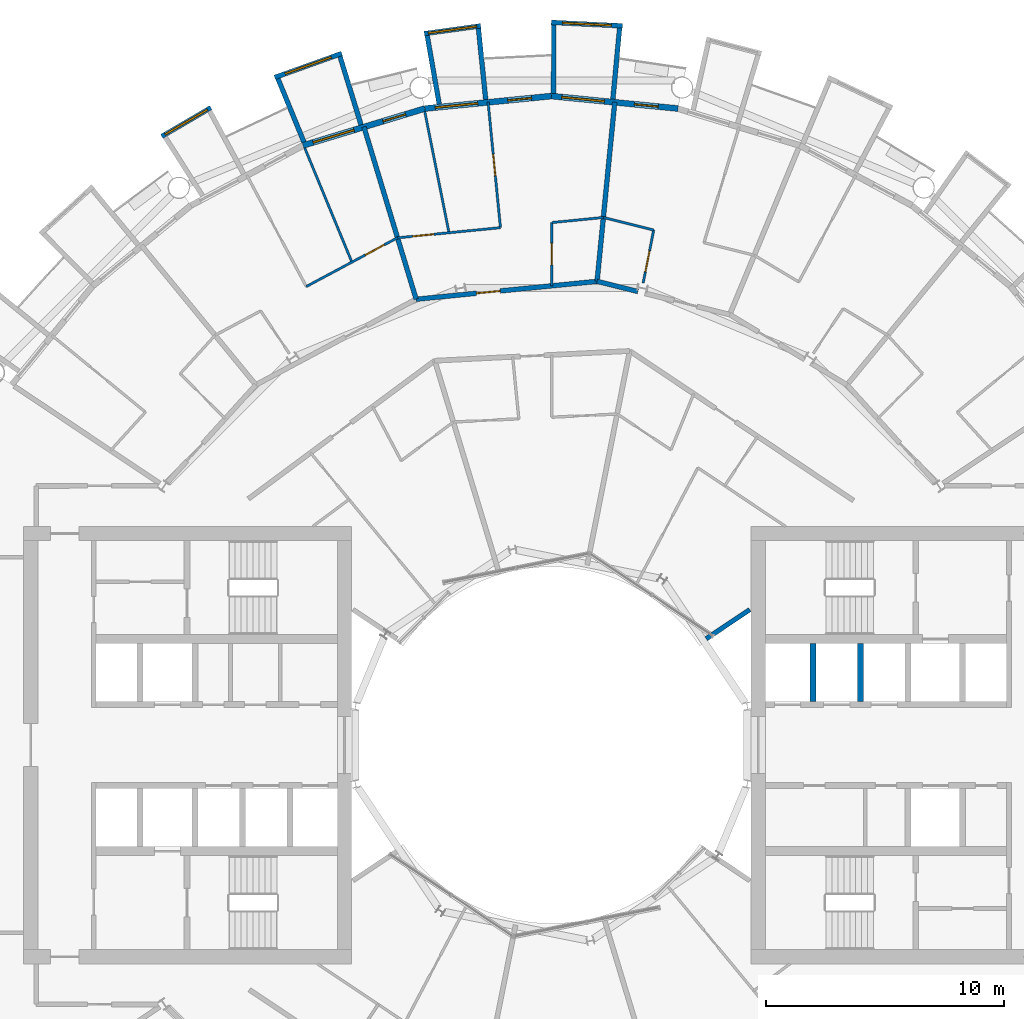
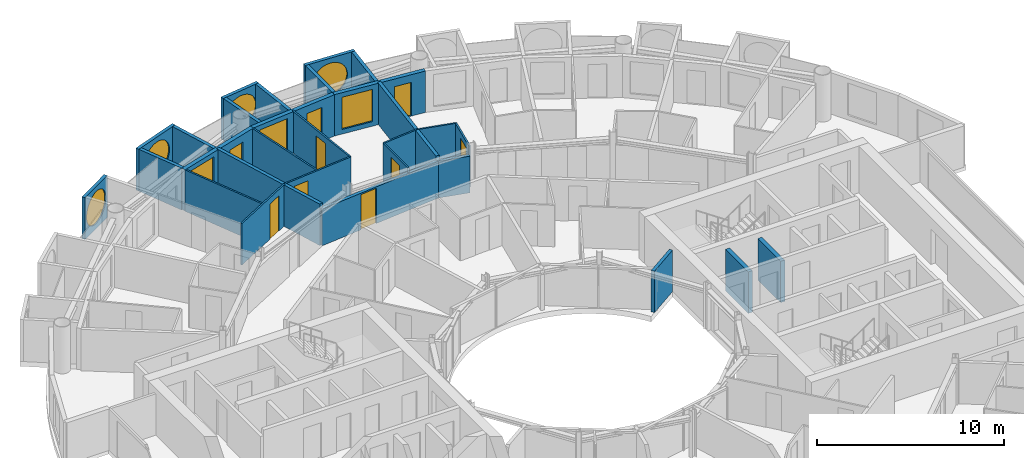
# One storey, part 21 of 27: 29 walls, 9 doors, 7 windows, 16 openings.
"""IFC4 building model written with IfcOpenShell, lengths in metres."""

import ifcopenshell
import ifcopenshell.guid

model = None  # the IFC model being written
_history = None  # IfcOwnerHistory: only IFC2X3 demands one
_inside = {}  # id of a spatial element -> (the spatial element, [elements in it])
_under = {}  # id of a project, library or spatial element -> (it, [spatial elements below it])
_declared = {}  # id of a project -> (the project, [libraries it declares])
_typed = {}  # id of a type object -> (the type object, [elements of that type])
_made_of = {}  # id of a material, layer set ... -> (it, [elements and type objects made of it])


def new_model(schema):
    """Start an empty IFC model of exactly this schema.

    Asked for "IFC4X3", IfcOpenShell would pick the latest addendum, in which some entities
    have other attributes; the version numbers below select the first issue.
    IFC2X3 requires an IfcOwnerHistory on every rooted entity: one is made here for all.
    """
    global model, _history
    if schema == "IFC4X3":
        model = ifcopenshell.file(schema_version=(4, 3, 0, 0))
    else:
        model = ifcopenshell.file(schema=schema)
    _inside.clear()
    _under.clear()
    _declared.clear()
    _typed.clear()
    _made_of.clear()
    _history = None
    if model.schema == "IFC2X3":
        org = make("IfcOrganization", Name="unknown")
        user = make(
            "IfcPersonAndOrganization",
            ThePerson=make("IfcPerson", FamilyName="unknown"),
            TheOrganization=org,
        )
        app = make(
            "IfcApplication",
            ApplicationDeveloper=org,
            Version="unknown",
            ApplicationFullName="unknown",
            ApplicationIdentifier="unknown",
        )
        _history = make(
            "IfcOwnerHistory",
            OwningUser=user,
            OwningApplication=app,
            ChangeAction="ADDED",
            CreationDate=0,
        )
    return model


def make(cls, **values):
    """One entity of the class cls with the attributes given. An attribute that is None is left unset."""
    return model.create_entity(
        cls, **{name: value for name, value in values.items() if value is not None}
    )


def rooted(cls, **values):
    """An entity with a GlobalId (a new one), such as an element, a storey or a relation."""
    return make(cls, GlobalId=ifcopenshell.guid.new(), OwnerHistory=_history, **values)


def si_unit(unit_type, name, prefix=None):
    """IfcSIUnit, for example si_unit("LENGTHUNIT", "METRE", prefix="MILLI")."""
    return make("IfcSIUnit", UnitType=unit_type, Prefix=prefix, Name=name)


def assignment(units):
    """IfcUnitAssignment: the units of a project."""
    return None if units is None else make("IfcUnitAssignment", Units=units)


def point(xyz):
    """IfcCartesianPoint."""
    return None if xyz is None else make("IfcCartesianPoint", Coordinates=xyz)


def direction(xyz):
    """IfcDirection."""
    return None if xyz is None else make("IfcDirection", DirectionRatios=xyz)


def frame(location, z_axis=None, x_axis=None):
    """IfcAxis2Placement3D, a coordinate frame: its origin and axes. An axis left out is left unset."""
    return make(
        "IfcAxis2Placement3D",
        Location=point(location),
        Axis=direction(z_axis),
        RefDirection=direction(x_axis),
    )


def frame_2d(location, x_axis=None):
    """IfcAxis2Placement2D, a coordinate frame in the plane: its origin and x axis."""
    return make(
        "IfcAxis2Placement2D", Location=point(location), RefDirection=direction(x_axis)
    )


def origin():
    """The frame at (0, 0, 0) with its axes left unset."""
    return frame((0.0, 0.0, 0.0))


def place(relative_to, where):
    """IfcLocalPlacement: puts the frame where relative to a parent placement (None: the world)."""
    return make(
        "IfcLocalPlacement", PlacementRelTo=relative_to, RelativePlacement=where
    )


def context(
    kind, dimensions, precision=None, world=None, true_north=None, identifier=None
):
    """IfcGeometricRepresentationContext, for example the 3D "Model" context."""
    return make(
        "IfcGeometricRepresentationContext",
        ContextIdentifier=identifier,
        ContextType=kind,
        CoordinateSpaceDimension=dimensions,
        Precision=precision,
        WorldCoordinateSystem=world,
        TrueNorth=true_north,
    )


def subcontext(parent, identifier, kind, view, scale=None):
    """IfcGeometricRepresentationSubContext, for example "Body" below "Model"."""
    return make(
        "IfcGeometricRepresentationSubContext",
        ContextIdentifier=identifier,
        ContextType=kind,
        ParentContext=parent,
        TargetScale=scale,
        TargetView=view,
    )


def project(units=None, contexts=None):
    """IfcProject with its units and contexts."""
    return rooted(
        "IfcProject",
        Name="project",
        RepresentationContexts=contexts,
        UnitsInContext=assignment(units),
    )


def spatial(cls, under=None, at=None, **own):
    """A site, building, storey or space (cls), placed at a placement, below another one or the project."""
    s = rooted(cls, ObjectPlacement=at, **own)
    if under is not None:
        _under.setdefault(under.id(), (under, []))[1].append(s)
    return s


def profile(cls, at=None, kind="AREA", **sizes):
    """A parametric profile (cls). Its sizes go by their IFC names, for example OverallWidth=200.0."""
    return make(cls, ProfileType=kind, Position=at, **sizes)


def rectangle(**sizes):
    """IfcRectangleProfileDef."""
    return profile("IfcRectangleProfileDef", **sizes)


def circle(**sizes):
    """IfcCircleProfileDef."""
    return profile("IfcCircleProfileDef", **sizes)


def extrude(swept, where, along, depth):
    """IfcExtrudedAreaSolid: the profile swept, set in the frame where, extruded along a direction by depth."""
    return make(
        "IfcExtrudedAreaSolid",
        SweptArea=swept,
        Position=where,
        ExtrudedDirection=direction(along),
        Depth=depth,
    )


def shape(context_of_items, identifier, shape_type, items):
    """IfcShapeRepresentation: the items that make up one representation, for example the "Body"."""
    return make(
        "IfcShapeRepresentation",
        ContextOfItems=context_of_items,
        RepresentationIdentifier=identifier,
        RepresentationType=shape_type,
        Items=items,
    )


def material(Name=None, Category=None):
    """IfcMaterial."""
    return make("IfcMaterial", Name=Name, Category=Category)


def layer(
    of_material, thickness, ventilated=None, Name=None, Category=None, Priority=None
):
    """IfcMaterialLayer: one layer of a wall or slab, of a material (None: an air gap)."""
    return make(
        "IfcMaterialLayer",
        Material=of_material,
        LayerThickness=thickness,
        IsVentilated=ventilated,
        Name=Name,
        Category=Category,
        Priority=Priority,
    )


def layer_set(layers, Name=None):
    """IfcMaterialLayerSet."""
    return make("IfcMaterialLayerSet", MaterialLayers=layers, LayerSetName=Name)


def made_of(thing, what):
    """Note that an element or type object is made of a material, layer set ...; save() writes the relation."""
    if what is not None:
        _made_of.setdefault(what.id(), (what, []))[1].append(thing)
    return thing


def type_object(cls, material=None, **own):
    """A type object (cls), such as IfcWallType, which elements share."""
    return made_of(rooted(cls, **own), material)


def element(
    cls,
    number,
    at=None,
    inside=None,
    cuts=None,
    type_object=None,
    material=None,
    context=None,
    identifier="Body",
    shape_type=None,
    held_by="IfcProductDefinitionShape",
    body=None,
    shapes=None,
    **own,
):
    """One element of the class cls, such as IfcWall. Its Tag is "e" and its number.

    at: its placement. inside: the storey or other place that contains it. cuts: it is an
    opening in that element (IfcRelVoidsElement). A single representation is given by context,
    identifier, shape_type and body (its items); several are given by shapes. held_by: the class
    of the entity that holds the representations. save() writes the other relations.
    """
    e = rooted(cls, Tag="e%d" % number, ObjectPlacement=at, **own)
    if body is not None:
        shapes = [shape(context, identifier, shape_type, body)]
    if shapes is not None:
        e.Representation = make(held_by, Representations=shapes)
    if inside is not None:
        _inside.setdefault(inside.id(), (inside, []))[1].append(e)
    if cuts is not None:
        rooted(
            "IfcRelVoidsElement", RelatingBuildingElement=cuts, RelatedOpeningElement=e
        )
    if type_object is not None:
        _typed.setdefault(type_object.id(), (type_object, []))[1].append(e)
    return made_of(e, material)


def fill(opening, filler):
    """IfcRelFillsElement: the door or window that sits in an opening."""
    return rooted(
        "IfcRelFillsElement",
        RelatingOpeningElement=opening,
        RelatedBuildingElement=filler,
    )


def aggregate(whole, parts):
    """IfcRelAggregates: a whole, such as a stair, and the parts it consists of."""
    return rooted("IfcRelAggregates", RelatingObject=whole, RelatedObjects=parts)


def save(model, path):
    """Write the relations noted so far, then the file.

    IfcRelAggregates (storeys below a building ...), IfcRelContainedInSpatialStructure (elements
    in a storey), IfcRelDefinesByType, IfcRelAssociatesMaterial and IfcRelDeclares: one each for
    every whole, place, type object, material and project.
    """
    for whole, parts in _under.values():
        aggregate(whole, parts)
    for where, things in _inside.values():
        rooted(
            "IfcRelContainedInSpatialStructure",
            RelatedElements=things,
            RelatingStructure=where,
        )
    for kind, things in _typed.values():
        rooted("IfcRelDefinesByType", RelatedObjects=things, RelatingType=kind)
    for what, things in _made_of.values():
        rooted("IfcRelAssociatesMaterial", RelatedObjects=things, RelatingMaterial=what)
    for by, libraries in _declared.values():
        rooted("IfcRelDeclares", RelatingContext=by, RelatedDefinitions=libraries)
    model.write(path)


model = new_model("IFC4")

# Units and contexts
model_context = context("Model", 3, precision=1e-05, world=origin(), true_north=direction((0.0, 1.0)))
body_context = subcontext(model_context, "Body", "Model", "MODEL_VIEW")
ifc_project = project(units=[si_unit("LENGTHUNIT", "METRE"), si_unit("AREAUNIT", "SQUARE_METRE"), si_unit("VOLUMEUNIT", "CUBIC_METRE"), si_unit("PLANEANGLEUNIT", "RADIAN"), si_unit("MASSUNIT", "GRAM", prefix="KILO")], contexts=[model_context])

# Site, building, storey
site_placement = place(None, origin())
site = spatial("IfcSite", under=ifc_project, at=site_placement, CompositionType="ELEMENT")
building_placement = place(site_placement, origin())
building = spatial("IfcBuilding", under=site, at=building_placement, Name="Maasbend Ring Residences", CompositionType="ELEMENT")
storey_placement = place(building_placement, frame((0.0, 0.0, 126.89990234375)))
storey = spatial("IfcBuildingStorey", under=building, at=storey_placement, Name="L36", CompositionType="ELEMENT", Elevation=126.89990234375)

# Wall, opening, door
ifc_material_1 = material(Name="Concrete C30/37", Category="concrete")
ifc_layer_1 = layer(ifc_material_1, 0.199951171875)
ifc_layer_set_1 = layer_set([ifc_layer_1], Name="Concrete C30/37")
wall_type_1 = type_object("IfcWallType", Name="CORRIDOR WALL 200 CONCRETE", PredefinedType="PARTITIONING", material=ifc_layer_set_1)
wall_1_placement = place(storey_placement, frame((-5.696044921875, 18.7529296875, 0.0), z_axis=(0.0, 0.0, 1.0), x_axis=(0.995146797279, 0.098401483048, 0.0)))
wall_1 = element("IfcWall", 1, at=wall_1_placement, inside=storey, type_object=wall_type_1, Name="U-L36-w110", PredefinedType="PARTITIONING", context=body_context, shape_type="SweptSolid", body=[
    extrude(rectangle(XDim=7.654052734375, YDim=0.199951171875, at=frame_2d((3.8271484375, 0.0))), origin(), (0.0, 0.0, 1.0), 2.39013671875),
])
opening_1_placement = place(wall_1_placement, frame((2.555908203125, 0.0, 0.0)))
opening_1 = element("IfcOpeningElement", 2, at=opening_1_placement, cuts=wall_1, Name="Opening D-3610", PredefinedType="OPENING", context=body_context, shape_type="SweptSolid", body=[
    extrude(rectangle(XDim=1.0, YDim=2.300048828125, at=frame_2d((0.5, 1.14990234375))), frame((0.0, 0.10986328125, 0.0), z_axis=(0.0, -1.0, 0.0), x_axis=(1.0, 0.0, 0.0)), (0.0, 0.0, 1.0), 0.219970703125),
])
ifc_material_2 = material(Name="Timber, fire-rated, painted", Category="wood")
door_type_1 = type_object("IfcDoorType", Name="FLAT ENTRANCE DOOR 1000 X 2300 FIRE-RATED", OperationType="NOTDEFINED", PredefinedType="DOOR", material=ifc_material_2)
door_1_placement = place(opening_1_placement, origin())
door_1 = element("IfcDoor", 3, at=door_1_placement, inside=storey, type_object=door_type_1, Name="D-3610", OperationType="SINGLE_SWING_LEFT", OverallHeight=2.300048828125, OverallWidth=1.0, PredefinedType="DOOR", context=body_context, shape_type="SweptSolid", body=[
    extrude(rectangle(XDim=1.0, YDim=2.300048828125, at=frame_2d((0.5, 1.14990234375))), frame((0.0, 0.02490234375, 0.0), z_axis=(0.0, -1.0, 0.0), x_axis=(1.0, 0.0, 0.0)), (0.0, 0.0, 1.0), 0.050048828125),
])
fill(opening_1, door_1)

# Wall
wall_2_placement = place(storey_placement, frame((1.9208984375, 19.506103515625, 0.0), z_axis=(0.0, 0.0, 1.0), x_axis=(0.97002068022, -0.243022385689, 0.0)))
element("IfcWall", 4, at=wall_2_placement, inside=storey, type_object=wall_type_1, Name="U-L36-w112", PredefinedType="PARTITIONING", context=body_context, shape_type="SweptSolid", body=[
    extrude(rectangle(XDim=1.77001953125, YDim=0.199951171875, at=frame_2d((0.885009765625, 0.0))), origin(), (0.0, 0.0, 1.0), 2.39013671875),
])

# Wall, opening, window
ifc_material_3 = material(Name="Pale anodised aluminium panel", Category="aluminium")
ifc_layer_2 = layer(ifc_material_3, 0.199951171875)
ifc_layer_set_2 = layer_set([ifc_layer_2], Name="EW-BOX")
wall_type_2 = type_object("IfcWallType", Name="EW-BOX", PredefinedType="SOLIDWALL", material=ifc_layer_set_2)
wall_3_placement = place(storey_placement, frame((2.985107421875, 30.2529296875, -0.02978515625), z_axis=(0.0, 0.0, 1.0), x_axis=(-0.998794083011, 0.049095618353, 0.0)))
wall_3 = element("IfcWall", 5, at=wall_3_placement, inside=storey, type_object=wall_type_2, Name="Box front N10", PredefinedType="SOLIDWALL", context=body_context, shape_type="SweptSolid", body=[
    extrude(rectangle(XDim=2.99365234375, YDim=0.199951171875, at=frame_2d((1.496826171875, 0.0))), origin(), (0.0, 0.0, 1.0), 2.72998046875),
])
opening_2_placement = place(wall_3_placement, frame((0.45654296875, 0.0, 0.330078125)))
opening_2 = element("IfcOpeningElement", 6, at=opening_2_placement, cuts=wall_3, Name="Opening W-RD", PredefinedType="OPENING", context=body_context, shape_type="SweptSolid", body=[
    extrude(circle(Radius=1.0400390625, at=frame_2d((1.0400390625, 1.0400390625))), frame((0.0, 0.10986328125, 0.0), z_axis=(0.0, -1.0, 0.0), x_axis=(1.0, 0.0, 0.0)), (0.0, 0.0, 1.0), 0.219970703125),
])
ifc_material_4 = material(Name="Aluminium and clear glass", Category="aluminium")
window_type_1 = type_object("IfcWindowType", Name="W-RD", PartitioningType="SINGLE_PANEL", PredefinedType="WINDOW", material=ifc_material_4)
window_1_placement = place(opening_2_placement, origin())
window_1 = element("IfcWindow", 7, at=window_1_placement, inside=storey, type_object=window_type_1, Name="Round window N10", OverallHeight=2.080078125, OverallWidth=2.080078125, PartitioningType="SINGLE_PANEL", PredefinedType="WINDOW", context=body_context, shape_type="SweptSolid", body=[
    extrude(circle(Radius=1.0400390625, at=frame_2d((1.0400390625, 1.0400390625))), frame((0.0, 0.030029296875, 0.0), z_axis=(0.0, -1.0, 0.0), x_axis=(1.0, 0.0, 0.0)), (0.0, 0.0, 1.0), 0.06005859375),
])
fill(opening_2, window_1)

# Walls
wall_4_placement = place(storey_placement, frame((2.5859375, 27.1708984375, -0.02978515625), z_axis=(0.0, 0.0, 1.0), x_axis=(0.094548432284, 0.995520262954, 0.0)))
element("IfcWall", 8, at=wall_4_placement, inside=storey, type_object=wall_type_2, Name="Box side wall N10 left", PredefinedType="SOLIDWALL", context=body_context, shape_type="SweptSolid", body=[
    extrude(rectangle(XDim=3.005615234375, YDim=0.199951171875, at=frame_2d((1.5029296875, 0.0))), origin(), (0.0, 0.0, 1.0), 2.72998046875),
])
wall_5_placement = place(storey_placement, frame((0.090087890625, 27.4169921875, -0.02978515625), z_axis=(0.0, 0.0, 1.0), x_axis=(0.00347308367, 0.999993968827, 0.0)))
element("IfcWall", 9, at=wall_5_placement, inside=storey, type_object=wall_type_2, Name="Box side wall N10 right", PredefinedType="SOLIDWALL", context=body_context, shape_type="SweptSolid", body=[
    extrude(rectangle(XDim=2.882080078125, YDim=0.199951171875, at=frame_2d((1.44091796875, 0.0))), origin(), (0.0, 0.0, 1.0), 2.72998046875),
])

# Wall, opening, window
wall_6_placement = place(storey_placement, frame((-2.97607421875, 30.25390625, -0.02978515625), z_axis=(0.0, 0.0, 1.0), x_axis=(-0.99061207328, -0.136703036805, 0.0)))
wall_6 = element("IfcWall", 10, at=wall_6_placement, inside=storey, type_object=wall_type_2, Name="Box front N12", PredefinedType="SOLIDWALL", context=body_context, shape_type="SweptSolid", body=[
    extrude(rectangle(XDim=2.391357421875, YDim=0.199951171875, at=frame_2d((1.19580078125, 0.0))), origin(), (0.0, 0.0, 1.0), 2.72998046875),
])
opening_3_placement = place(wall_6_placement, frame((0.15576171875, 0.0, 0.330078125)))
opening_3 = element("IfcOpeningElement", 11, at=opening_3_placement, cuts=wall_6, Name="Opening W-RD", PredefinedType="OPENING", context=body_context, shape_type="SweptSolid", body=[
    extrude(circle(Radius=1.0400390625, at=frame_2d((1.0400390625, 1.0400390625))), frame((0.0, 0.10986328125, 0.0), z_axis=(0.0, -1.0, 0.0), x_axis=(1.0, 0.0, 0.0)), (0.0, 0.0, 1.0), 0.219970703125),
])
window_2_placement = place(opening_3_placement, origin())
window_2 = element("IfcWindow", 12, at=window_2_placement, inside=storey, type_object=window_type_1, Name="Round window N12", OverallHeight=2.080078125, OverallWidth=2.080078125, PartitioningType="SINGLE_PANEL", PredefinedType="WINDOW", context=body_context, shape_type="SweptSolid", body=[
    extrude(circle(Radius=1.0400390625, at=frame_2d((1.0400390625, 1.0400390625))), frame((0.0, 0.030029296875, 0.0), z_axis=(0.0, -1.0, 0.0), x_axis=(1.0, 0.0, 0.0)), (0.0, 0.0, 1.0), 0.06005859375),
])
fill(opening_3, window_2)

# Walls
wall_7_placement = place(storey_placement, frame((-2.763916015625, 27.153076171875, -0.02978515625), z_axis=(0.0, 0.0, 1.0), x_axis=(-0.101505487237, 0.994834979311, 0.0)))
element("IfcWall", 13, at=wall_7_placement, inside=storey, type_object=wall_type_2, Name="Box side wall N12 left", PredefinedType="SOLIDWALL", context=body_context, shape_type="SweptSolid", body=[
    extrude(rectangle(XDim=3.006591796875, YDim=0.199951171875, at=frame_2d((1.50341796875, 0.0))), origin(), (0.0, 0.0, 1.0), 2.72998046875),
])
wall_8_placement = place(storey_placement, frame((-4.719970703125, 26.9609375, -0.02978515625), z_axis=(0.0, 0.0, 1.0), x_axis=(-0.172463232037, 0.98501595601, 0.0)))
element("IfcWall", 14, at=wall_8_placement, inside=storey, type_object=wall_type_2, Name="Box side wall N12 right", PredefinedType="SOLIDWALL", context=body_context, shape_type="SweptSolid", body=[
    extrude(rectangle(XDim=2.928955078125, YDim=0.199951171875, at=frame_2d((1.46435546875, 0.0))), origin(), (0.0, 0.0, 1.0), 2.72998046875),
])

# Wall, opening, window
wall_9_placement = place(storey_placement, frame((-8.820068359375, 29.093017578125, -0.02978515625), z_axis=(0.0, 0.0, 1.0), x_axis=(-0.941461077774, -0.337121697664, 0.0)))
wall_9 = element("IfcWall", 15, at=wall_9_placement, inside=storey, type_object=wall_type_2, Name="Box front N14", PredefinedType="SOLIDWALL", context=body_context, shape_type="SweptSolid", body=[
    extrude(rectangle(XDim=2.9931640625, YDim=0.199951171875, at=frame_2d((1.49658203125, 0.0))), origin(), (0.0, 0.0, 1.0), 2.72998046875),
])
opening_4_placement = place(wall_9_placement, frame((0.45654296875, 0.0, 0.330078125)))
opening_4 = element("IfcOpeningElement", 16, at=opening_4_placement, cuts=wall_9, Name="Opening W-RD", PredefinedType="OPENING", context=body_context, shape_type="SweptSolid", body=[
    extrude(circle(Radius=1.0400390625, at=frame_2d((1.0400390625, 1.0400390625))), frame((0.0, 0.10986328125, 0.0), z_axis=(0.0, -1.0, 0.0), x_axis=(1.0, 0.0, 0.0)), (0.0, 0.0, 1.0), 0.219970703125),
])
window_3_placement = place(opening_4_placement, origin())
window_3 = element("IfcWindow", 17, at=window_3_placement, inside=storey, type_object=window_type_1, Name="Round window N14", OverallHeight=2.080078125, OverallWidth=2.080078125, PartitioningType="SINGLE_PANEL", PredefinedType="WINDOW", context=body_context, shape_type="SweptSolid", body=[
    extrude(circle(Radius=1.0400390625, at=frame_2d((1.0400390625, 1.0400390625))), frame((0.0, 0.030029296875, 0.0), z_axis=(0.0, -1.0, 0.0), x_axis=(1.0, 0.0, 0.0)), (0.0, 0.0, 1.0), 0.06005859375),
])
fill(opening_4, window_3)

# Walls
wall_10_placement = place(storey_placement, frame((-8.009033203125, 26.092041015625, -0.02978515625), z_axis=(0.0, 0.0, 1.0), x_axis=(-0.293406695073, 0.955987715029, 0.0)))
element("IfcWall", 18, at=wall_10_placement, inside=storey, type_object=wall_type_2, Name="Box side wall N14 left", PredefinedType="SOLIDWALL", context=body_context, shape_type="SweptSolid", body=[
    extrude(rectangle(XDim=3.00634765625, YDim=0.199951171875, at=frame_2d((1.503173828125, 0.0))), origin(), (0.0, 0.0, 1.0), 2.72998046875),
])
wall_11_placement = place(storey_placement, frame((-10.408935546875, 25.364013671875, -0.02978515625), z_axis=(0.0, 0.0, 1.0), x_axis=(-0.379509886562, 0.925187681501, 0.0)))
element("IfcWall", 19, at=wall_11_placement, inside=storey, type_object=wall_type_2, Name="Box side wall N14 right", PredefinedType="SOLIDWALL", context=body_context, shape_type="SweptSolid", body=[
    extrude(rectangle(XDim=2.882568359375, YDim=0.199951171875, at=frame_2d((1.44140625, 0.0))), origin(), (0.0, 0.0, 1.0), 2.72998046875),
])

# Wall, opening, window
wall_12_placement = place(storey_placement, frame((-14.326904296875, 26.81201171875, -0.02978515625), z_axis=(0.0, 0.0, 1.0), x_axis=(-0.862762477128, -0.505609442218, 0.0)))
wall_12 = element("IfcWall", 20, at=wall_12_placement, inside=storey, type_object=wall_type_2, Name="Box front N16", PredefinedType="SOLIDWALL", context=body_context, shape_type="SweptSolid", body=[
    extrude(rectangle(XDim=2.39111328125, YDim=0.199951171875, at=frame_2d((1.195556640625, 0.0))), origin(), (0.0, 0.0, 1.0), 2.72998046875),
])
opening_5_placement = place(wall_12_placement, frame((0.15576171875, 0.0, 0.330078125)))
opening_5 = element("IfcOpeningElement", 21, at=opening_5_placement, cuts=wall_12, Name="Opening W-RD", PredefinedType="OPENING", context=body_context, shape_type="SweptSolid", body=[
    extrude(circle(Radius=1.0400390625, at=frame_2d((1.0400390625, 1.0400390625))), frame((0.0, 0.10986328125, 0.0), z_axis=(0.0, -1.0, 0.0), x_axis=(1.0, 0.0, 0.0)), (0.0, 0.0, 1.0), 0.219970703125),
])
window_4_placement = place(opening_5_placement, origin())
window_4 = element("IfcWindow", 22, at=window_4_placement, inside=storey, type_object=window_type_1, Name="Round window N16", OverallHeight=2.080078125, OverallWidth=2.080078125, PartitioningType="SINGLE_PANEL", PredefinedType="WINDOW", context=body_context, shape_type="SweptSolid", body=[
    extrude(circle(Radius=1.0400390625, at=frame_2d((1.0400390625, 1.0400390625))), frame((0.0, 0.030029296875, 0.0), z_axis=(0.0, -1.0, 0.0), x_axis=(1.0, 0.0, 0.0)), (0.0, 0.0, 1.0), 0.06005859375),
])
fill(opening_5, window_4)

# Wall, openings, door, window
ifc_material_5 = material(Name="Aluminium clad insulated panel", Category="aluminium")
ifc_layer_3 = layer(ifc_material_5, 0.25)
ifc_layer_set_3 = layer_set([ifc_layer_3], Name="EW-GL")
wall_type_3 = type_object("IfcWallType", Name="EW-GL", PredefinedType="SOLIDWALL", material=ifc_layer_set_3)
wall_13_placement = place(storey_placement, frame((5.325927734375, 26.77490234375, 0.0), z_axis=(0.0, 0.0, 1.0), x_axis=(-0.995173996315, 0.098126026407, 0.0)))
wall_13 = element("IfcWall", 23, at=wall_13_placement, inside=storey, type_object=wall_type_3, Name="External wall N05", PredefinedType="SOLIDWALL", context=body_context, shape_type="SweptSolid", body=[
    extrude(rectangle(XDim=5.351806640625, YDim=0.25, at=frame_2d((2.67578125, 0.0))), origin(), (0.0, 0.0, 1.0), 2.7001953125),
])
opening_6_placement = place(wall_13_placement, frame((0.841064453125, 0.0, 0.0)))
opening_6 = element("IfcOpeningElement", 24, at=opening_6_placement, cuts=wall_13, Name="Opening D-LG", PredefinedType="OPENING", context=body_context, shape_type="SweptSolid", body=[
    extrude(rectangle(XDim=1.0, YDim=2.199951171875, at=frame_2d((0.5, 1.10009765625))), frame((0.0, 0.135009765625, 0.0), z_axis=(0.0, -1.0, 0.0), x_axis=(1.0, 0.0, 0.0)), (0.0, 0.0, 1.0), 0.27001953125),
])
opening_7_placement = place(wall_13_placement, frame((3.110595703125, 0.0, 0.300048828125)))
opening_7 = element("IfcOpeningElement", 25, at=opening_7_placement, cuts=wall_13, Name="Opening W-BX", PredefinedType="OPENING", context=body_context, shape_type="SweptSolid", body=[
    extrude(rectangle(XDim=1.800048828125, YDim=2.10009765625, at=frame_2d((0.89990234375, 1.050048828125))), frame((0.0, 0.135009765625, 0.0), z_axis=(0.0, -1.0, 0.0), x_axis=(1.0, 0.0, 0.0)), (0.0, 0.0, 1.0), 0.27001953125),
])
ifc_material_6 = material(Name="Aluminium and clear glass", Category="aluminium")
door_type_2 = type_object("IfcDoorType", Name="D-LG", OperationType="SINGLE_SWING_LEFT", PredefinedType="DOOR", material=ifc_material_6)
door_2_placement = place(opening_6_placement, origin())
door_2 = element("IfcDoor", 26, at=door_2_placement, inside=storey, type_object=door_type_2, Name="Loggia door N09", OperationType="SINGLE_SWING_LEFT", OverallHeight=2.199951171875, OverallWidth=1.0, PredefinedType="DOOR", context=body_context, shape_type="SweptSolid", body=[
    extrude(rectangle(XDim=1.0, YDim=2.199951171875, at=frame_2d((0.5, 1.10009765625))), frame((0.0, 0.02490234375, 0.0), z_axis=(0.0, -1.0, 0.0), x_axis=(1.0, 0.0, 0.0)), (0.0, 0.0, 1.0), 0.050048828125),
])
fill(opening_6, door_2)
ifc_material_7 = material(Name="Aluminium and clear glass", Category="aluminium")
window_type_2 = type_object("IfcWindowType", Name="W-BX", PartitioningType="DOUBLE_PANEL_VERTICAL", PredefinedType="WINDOW", material=ifc_material_7)
window_5_placement = place(opening_7_placement, origin())
window_5 = element("IfcWindow", 27, at=window_5_placement, inside=storey, type_object=window_type_2, Name="Window N10 room to box", OverallHeight=2.10009765625, OverallWidth=1.800048828125, PartitioningType="SINGLE_PANEL", PredefinedType="WINDOW", context=body_context, shape_type="SweptSolid", body=[
    extrude(rectangle(XDim=1.800048828125, YDim=2.10009765625, at=frame_2d((0.89990234375, 1.050048828125))), frame((0.0, 0.030029296875, 0.0), z_axis=(0.0, -1.0, 0.0), x_axis=(1.0, 0.0, 0.0)), (0.0, 0.0, 1.0), 0.06005859375),
])
fill(opening_7, window_5)

wall_14_placement = place(storey_placement, frame((0.0, 27.300048828125, 0.0), z_axis=(0.0, 0.0, 1.0), x_axis=(-0.995173996315, -0.098126026407, 0.0)))
wall_14 = element("IfcWall", 28, at=wall_14_placement, inside=storey, type_object=wall_type_3, Name="External wall N06", PredefinedType="SOLIDWALL", context=body_context, shape_type="SweptSolid", body=[
    extrude(rectangle(XDim=5.351806640625, YDim=0.25, at=frame_2d((2.67578125, 0.0))), origin(), (0.0, 0.0, 1.0), 2.7001953125),
])
opening_8_placement = place(wall_14_placement, frame((0.841064453125, 0.0, 0.0)))
opening_8 = element("IfcOpeningElement", 29, at=opening_8_placement, cuts=wall_14, Name="Opening D-LG", PredefinedType="OPENING", context=body_context, shape_type="SweptSolid", body=[
    extrude(rectangle(XDim=1.0, YDim=2.199951171875, at=frame_2d((0.5, 1.10009765625))), frame((0.0, 0.135009765625, 0.0), z_axis=(0.0, -1.0, 0.0), x_axis=(1.0, 0.0, 0.0)), (0.0, 0.0, 1.0), 0.27001953125),
])
opening_9_placement = place(wall_14_placement, frame((3.110595703125, 0.0, 0.300048828125)))
opening_9 = element("IfcOpeningElement", 30, at=opening_9_placement, cuts=wall_14, Name="Opening W-BX", PredefinedType="OPENING", context=body_context, shape_type="SweptSolid", body=[
    extrude(rectangle(XDim=1.800048828125, YDim=2.10009765625, at=frame_2d((0.89990234375, 1.050048828125))), frame((0.0, 0.135009765625, 0.0), z_axis=(0.0, -1.0, 0.0), x_axis=(1.0, 0.0, 0.0)), (0.0, 0.0, 1.0), 0.27001953125),
])
door_3_placement = place(opening_8_placement, origin())
door_3 = element("IfcDoor", 31, at=door_3_placement, inside=storey, type_object=door_type_2, Name="Loggia door N11", OperationType="SINGLE_SWING_LEFT", OverallHeight=2.199951171875, OverallWidth=1.0, PredefinedType="DOOR", context=body_context, shape_type="SweptSolid", body=[
    extrude(rectangle(XDim=1.0, YDim=2.199951171875, at=frame_2d((0.5, 1.10009765625))), frame((0.0, 0.02490234375, 0.0), z_axis=(0.0, -1.0, 0.0), x_axis=(1.0, 0.0, 0.0)), (0.0, 0.0, 1.0), 0.050048828125),
])
fill(opening_8, door_3)
window_6_placement = place(opening_9_placement, origin())
window_6 = element("IfcWindow", 32, at=window_6_placement, inside=storey, type_object=window_type_2, Name="Window N12 room to box", OverallHeight=2.10009765625, OverallWidth=1.800048828125, PartitioningType="SINGLE_PANEL", PredefinedType="WINDOW", context=body_context, shape_type="SweptSolid", body=[
    extrude(rectangle(XDim=1.800048828125, YDim=2.10009765625, at=frame_2d((0.89990234375, 1.050048828125))), frame((0.0, 0.030029296875, 0.0), z_axis=(0.0, -1.0, 0.0), x_axis=(1.0, 0.0, 0.0)), (0.0, 0.0, 1.0), 0.06005859375),
])
fill(opening_9, window_6)

wall_15_placement = place(storey_placement, frame((-5.325927734375, 26.77490234375, 0.0), z_axis=(0.0, 0.0, 1.0), x_axis=(-0.956965678721, -0.290201119486, 0.0)))
wall_15 = element("IfcWall", 33, at=wall_15_placement, inside=storey, type_object=wall_type_3, Name="External wall N07", PredefinedType="SOLIDWALL", context=body_context, shape_type="SweptSolid", body=[
    extrude(rectangle(XDim=5.351318359375, YDim=0.25, at=frame_2d((2.67578125, 0.0))), origin(), (0.0, 0.0, 1.0), 2.7001953125),
])
opening_10_placement = place(wall_15_placement, frame((0.841064453125, 0.0, 0.0)))
opening_10 = element("IfcOpeningElement", 34, at=opening_10_placement, cuts=wall_15, Name="Opening D-LG", PredefinedType="OPENING", context=body_context, shape_type="SweptSolid", body=[
    extrude(rectangle(XDim=1.0, YDim=2.199951171875, at=frame_2d((0.5, 1.10009765625))), frame((0.0, 0.135009765625, 0.0), z_axis=(0.0, -1.0, 0.0), x_axis=(1.0, 0.0, 0.0)), (0.0, 0.0, 1.0), 0.27001953125),
])
opening_11_placement = place(wall_15_placement, frame((3.110595703125, 0.0, 0.300048828125)))
opening_11 = element("IfcOpeningElement", 35, at=opening_11_placement, cuts=wall_15, Name="Opening W-BX", PredefinedType="OPENING", context=body_context, shape_type="SweptSolid", body=[
    extrude(rectangle(XDim=1.800048828125, YDim=2.10009765625, at=frame_2d((0.89990234375, 1.050048828125))), frame((0.0, 0.135009765625, 0.0), z_axis=(0.0, -1.0, 0.0), x_axis=(1.0, 0.0, 0.0)), (0.0, 0.0, 1.0), 0.27001953125),
])
door_4_placement = place(opening_10_placement, origin())
door_4 = element("IfcDoor", 36, at=door_4_placement, inside=storey, type_object=door_type_2, Name="Loggia door N13", OperationType="SINGLE_SWING_LEFT", OverallHeight=2.199951171875, OverallWidth=1.0, PredefinedType="DOOR", context=body_context, shape_type="SweptSolid", body=[
    extrude(rectangle(XDim=1.0, YDim=2.199951171875, at=frame_2d((0.5, 1.10009765625))), frame((0.0, 0.02490234375, 0.0), z_axis=(0.0, -1.0, 0.0), x_axis=(1.0, 0.0, 0.0)), (0.0, 0.0, 1.0), 0.050048828125),
])
fill(opening_10, door_4)
window_7_placement = place(opening_11_placement, origin())
window_7 = element("IfcWindow", 37, at=window_7_placement, inside=storey, type_object=window_type_2, Name="Window N14 room to box", OverallHeight=2.10009765625, OverallWidth=1.800048828125, PartitioningType="SINGLE_PANEL", PredefinedType="WINDOW", context=body_context, shape_type="SweptSolid", body=[
    extrude(rectangle(XDim=1.800048828125, YDim=2.10009765625, at=frame_2d((0.89990234375, 1.050048828125))), frame((0.0, 0.030029296875, 0.0), z_axis=(0.0, -1.0, 0.0), x_axis=(1.0, 0.0, 0.0)), (0.0, 0.0, 1.0), 0.06005859375),
])
fill(opening_11, window_7)

# Walls
ifc_material_8 = material(Name="Gypsum board on steel studs", Category="steel")
ifc_layer_4 = layer(ifc_material_8, 0.10009765625)
ifc_layer_set_4 = layer_set([ifc_layer_4], Name="PARTITION 100 GYPSUM")
wall_type_4 = type_object("IfcWallType", Name="PARTITION 100 GYPSUM", PredefinedType="PARTITIONING", material=ifc_layer_set_4)
wall_16_placement = place(storey_placement, frame((-10.375, 25.115966796875, 0.0), z_axis=(0.0, 0.0, 1.0), x_axis=(0.381673756215, -0.924297107978, 0.0)))
element("IfcWall", 38, at=wall_16_placement, inside=storey, type_object=wall_type_4, Name="U-L36-w051", PredefinedType="PARTITIONING", context=body_context, shape_type="SweptSolid", body=[
    extrude(rectangle(XDim=5.1953125, YDim=0.10009765625, at=frame_2d((2.59765625, 0.0))), origin(), (0.0, 0.0, 1.0), 2.7001953125),
])
wall_17_placement = place(storey_placement, frame((-5.326904296875, 26.64794921875, 0.0), z_axis=(0.0, 0.0, 1.0), x_axis=(0.195899255693, -0.980624026638, 0.0)))
element("IfcWall", 39, at=wall_17_placement, inside=storey, type_object=wall_type_4, Name="U-L36-w058", PredefinedType="PARTITIONING", context=body_context, shape_type="SweptSolid", body=[
    extrude(rectangle(XDim=5.195556640625, YDim=0.10009765625, at=frame_2d((2.59765625, 0.0))), origin(), (0.0, 0.0, 1.0), 2.7001953125),
])

# Wall, opening, door
wall_18_placement = place(storey_placement, frame((-2.6640625, 27.0439453125, 0.0), z_axis=(0.0, 0.0, 1.0), x_axis=(0.098054199821, -0.995181075934, 0.0)))
wall_18 = element("IfcWall", 40, at=wall_18_placement, inside=storey, type_object=wall_type_4, Name="U-L36-w061", PredefinedType="PARTITIONING", context=body_context, shape_type="SweptSolid", body=[
    extrude(rectangle(XDim=5.303466796875, YDim=0.10009765625, at=frame_2d((2.65185546875, 0.0))), origin(), (0.0, 0.0, 1.0), 2.7001953125),
])
opening_12_placement = place(wall_18_placement, frame((2.201904296875, 0.0, 0.0)))
opening_12 = element("IfcOpeningElement", 41, at=opening_12_placement, cuts=wall_18, Name="Opening D-3612", PredefinedType="OPENING", context=body_context, shape_type="SweptSolid", body=[
    extrude(rectangle(XDim=0.89990234375, YDim=2.300048828125, at=frame_2d((0.449951171875, 1.14990234375))), frame((0.0, 0.06005859375, 0.0), z_axis=(0.0, -1.0, 0.0), x_axis=(1.0, 0.0, 0.0)), (0.0, 0.0, 1.0), 0.1201171875),
])
ifc_material_9 = material(Name="Timber, painted", Category="wood")
door_type_3 = type_object("IfcDoorType", Name="INTERNAL DOOR 900 X 2300", OperationType="NOTDEFINED", PredefinedType="DOOR", material=ifc_material_9)
door_5_placement = place(opening_12_placement, origin())
door_5 = element("IfcDoor", 42, at=door_5_placement, inside=storey, type_object=door_type_3, Name="D-3612", OperationType="SINGLE_SWING_RIGHT", OverallHeight=2.300048828125, OverallWidth=0.89990234375, PredefinedType="DOOR", context=body_context, shape_type="SweptSolid", body=[
    extrude(rectangle(XDim=0.89990234375, YDim=2.300048828125, at=frame_2d((0.449951171875, 1.14990234375))), frame((0.0, 0.02490234375, 0.0), z_axis=(0.0, -1.0, 0.0), x_axis=(1.0, 0.0, 0.0)), (0.0, 0.0, 1.0), 0.050048828125),
])
fill(opening_12, door_5)

wall_19_placement = place(storey_placement, frame((0.01806640625, 19.318115234375, 0.0), z_axis=(0.0, 0.0, 1.0), x_axis=(0.001101017775, 0.99999939388, 0.0)))
wall_19 = element("IfcWall", 43, at=wall_19_placement, inside=storey, type_object=wall_type_4, Name="U-L36-w066", PredefinedType="PARTITIONING", context=body_context, shape_type="SweptSolid", body=[
    extrude(rectangle(XDim=2.660888671875, YDim=0.10009765625, at=frame_2d((1.33056640625, 0.0))), origin(), (0.0, 0.0, 1.0), 2.7001953125),
])
opening_13_placement = place(wall_19_placement, frame((0.881103515625, 0.0, 0.0)))
opening_13 = element("IfcOpeningElement", 44, at=opening_13_placement, cuts=wall_19, Name="Opening D-3611", PredefinedType="OPENING", context=body_context, shape_type="SweptSolid", body=[
    extrude(rectangle(XDim=0.89990234375, YDim=2.300048828125, at=frame_2d((0.449951171875, 1.14990234375))), frame((0.0, 0.06005859375, 0.0), z_axis=(0.0, -1.0, 0.0), x_axis=(1.0, 0.0, 0.0)), (0.0, 0.0, 1.0), 0.1201171875),
])
door_6_placement = place(opening_13_placement, origin())
door_6 = element("IfcDoor", 45, at=door_6_placement, inside=storey, type_object=door_type_3, Name="D-3611", OperationType="SINGLE_SWING_LEFT", OverallHeight=2.300048828125, OverallWidth=0.89990234375, PredefinedType="DOOR", context=body_context, shape_type="SweptSolid", body=[
    extrude(rectangle(XDim=0.89990234375, YDim=2.300048828125, at=frame_2d((0.449951171875, 1.14990234375))), frame((0.0, 0.02490234375, 0.0), z_axis=(0.0, -1.0, 0.0), x_axis=(1.0, 0.0, 0.0)), (0.0, 0.0, 1.0), 0.050048828125),
])
fill(opening_13, door_6)

wall_20_placement = place(storey_placement, frame((3.860107421875, 19.43603515625, 0.0), z_axis=(0.0, 0.0, 1.0), x_axis=(0.194627049372, 0.98087731733, 0.0)))
wall_20 = element("IfcWall", 46, at=wall_20_placement, inside=storey, type_object=wall_type_4, Name="U-L36-w074", PredefinedType="PARTITIONING", context=body_context, shape_type="SweptSolid", body=[
    extrude(rectangle(XDim=2.2705078125, YDim=0.10009765625, at=frame_2d((1.13525390625, 0.0))), origin(), (0.0, 0.0, 1.0), 2.7001953125),
])
opening_14_placement = place(wall_20_placement, frame((0.48291015625, 0.0, 0.0)))
opening_14 = element("IfcOpeningElement", 47, at=opening_14_placement, cuts=wall_20, Name="Opening D-3608", PredefinedType="OPENING", context=body_context, shape_type="SweptSolid", body=[
    extrude(rectangle(XDim=0.89990234375, YDim=2.300048828125, at=frame_2d((0.449951171875, 1.14990234375))), frame((0.0, 0.06005859375, 0.0), z_axis=(0.0, -1.0, 0.0), x_axis=(1.0, 0.0, 0.0)), (0.0, 0.0, 1.0), 0.1201171875),
])
door_7_placement = place(opening_14_placement, origin())
door_7 = element("IfcDoor", 48, at=door_7_placement, inside=storey, type_object=door_type_3, Name="D-3608", OperationType="SINGLE_SWING_LEFT", OverallHeight=2.300048828125, OverallWidth=0.89990234375, PredefinedType="DOOR", context=body_context, shape_type="SweptSolid", body=[
    extrude(rectangle(XDim=0.89990234375, YDim=2.300048828125, at=frame_2d((0.449951171875, 1.14990234375))), frame((0.0, 0.02490234375, 0.0), z_axis=(0.0, -1.0, 0.0), x_axis=(1.0, 0.0, 0.0)), (0.0, 0.0, 1.0), 0.050048828125),
])
fill(opening_14, door_7)

wall_21_placement = place(storey_placement, frame((-10.31201171875, 19.2880859375, 0.0), z_axis=(0.0, 0.0, 1.0), x_axis=(0.881932070463, 0.471376519451, 0.0)))
wall_21 = element("IfcWall", 49, at=wall_21_placement, inside=storey, type_object=wall_type_4, Name="U-L36-w120", PredefinedType="PARTITIONING", context=body_context, shape_type="SweptSolid", body=[
    extrude(rectangle(XDim=4.355224609375, YDim=0.10009765625, at=frame_2d((2.177734375, 0.0))), origin(), (0.0, 0.0, 1.0), 2.7001953125),
])
opening_15_placement = place(wall_21_placement, frame((2.81591796875, 0.0, 0.0)))
opening_15 = element("IfcOpeningElement", 50, at=opening_15_placement, cuts=wall_21, Name="Opening D-3617", PredefinedType="OPENING", context=body_context, shape_type="SweptSolid", body=[
    extrude(rectangle(XDim=0.89990234375, YDim=2.300048828125, at=frame_2d((0.449951171875, 1.14990234375))), frame((0.0, 0.06005859375, 0.0), z_axis=(0.0, -1.0, 0.0), x_axis=(1.0, 0.0, 0.0)), (0.0, 0.0, 1.0), 0.1201171875),
])
door_8_placement = place(opening_15_placement, origin())
door_8 = element("IfcDoor", 51, at=door_8_placement, inside=storey, type_object=door_type_3, Name="D-3617", OperationType="SINGLE_SWING_RIGHT", OverallHeight=2.300048828125, OverallWidth=0.89990234375, PredefinedType="DOOR", context=body_context, shape_type="SweptSolid", body=[
    extrude(rectangle(XDim=0.89990234375, YDim=2.300048828125, at=frame_2d((0.449951171875, 1.14990234375))), frame((0.0, 0.02490234375, 0.0), z_axis=(0.0, -1.0, 0.0), x_axis=(1.0, 0.0, 0.0)), (0.0, 0.0, 1.0), 0.050048828125),
])
fill(opening_15, door_8)

wall_22_placement = place(storey_placement, frame((-6.48193359375, 21.3359375, 0.0), z_axis=(0.0, 0.0, 1.0), x_axis=(0.995148257168, 0.098386717885, 0.0)))
wall_22 = element("IfcWall", 52, at=wall_22_placement, inside=storey, type_object=wall_type_4, Name="U-L36-w121", PredefinedType="PARTITIONING", context=body_context, shape_type="SweptSolid", body=[
    extrude(rectangle(XDim=4.349853515625, YDim=0.10009765625, at=frame_2d((2.1748046875, 0.0))), origin(), (0.0, 0.0, 1.0), 2.7001953125),
])
opening_16_placement = place(wall_22_placement, frame((0.64697265625, 0.0, 0.0)))
opening_16 = element("IfcOpeningElement", 53, at=opening_16_placement, cuts=wall_22, Name="Opening D-3613", PredefinedType="OPENING", context=body_context, shape_type="SweptSolid", body=[
    extrude(rectangle(XDim=0.89990234375, YDim=2.300048828125, at=frame_2d((0.449951171875, 1.14990234375))), frame((0.0, 0.06005859375, 0.0), z_axis=(0.0, -1.0, 0.0), x_axis=(1.0, 0.0, 0.0)), (0.0, 0.0, 1.0), 0.1201171875),
])
door_9_placement = place(opening_16_placement, origin())
door_9 = element("IfcDoor", 54, at=door_9_placement, inside=storey, type_object=door_type_3, Name="D-3613", OperationType="SINGLE_SWING_LEFT", OverallHeight=2.300048828125, OverallWidth=0.89990234375, PredefinedType="DOOR", context=body_context, shape_type="SweptSolid", body=[
    extrude(rectangle(XDim=0.89990234375, YDim=2.300048828125, at=frame_2d((0.449951171875, 1.14990234375))), frame((0.0, 0.02490234375, 0.0), z_axis=(0.0, -1.0, 0.0), x_axis=(1.0, 0.0, 0.0)), (0.0, 0.0, 1.0), 0.050048828125),
])
fill(opening_16, door_9)

# Walls
wall_23_placement = place(storey_placement, frame((0.02099609375, 21.97900390625, 0.0), z_axis=(0.0, 0.0, 1.0), x_axis=(0.995145478845, 0.098414815623, 0.0)))
element("IfcWall", 55, at=wall_23_placement, inside=storey, type_object=wall_type_4, Name="U-L36-w122", PredefinedType="PARTITIONING", context=body_context, shape_type="SweptSolid", body=[
    extrude(rectangle(XDim=2.175537109375, YDim=0.10009765625, at=frame_2d((1.087890625, 0.0))), origin(), (0.0, 0.0, 1.0), 2.7001953125),
])
wall_24_placement = place(storey_placement, frame((2.18603515625, 22.193115234375, 0.0), z_axis=(0.0, 0.0, 1.0), x_axis=(0.97003047456, -0.242983288366, 0.0)))
element("IfcWall", 56, at=wall_24_placement, inside=storey, type_object=wall_type_4, Name="U-L36-w125", PredefinedType="PARTITIONING", context=body_context, shape_type="SweptSolid", body=[
    extrude(rectangle(XDim=2.181396484375, YDim=0.10009765625, at=frame_2d((1.0908203125, 0.0))), origin(), (0.0, 0.0, 1.0), 2.7001953125),
])
ifc_material_10 = material(Name="Concrete C30/37", Category="concrete")
ifc_layer_5 = layer(ifc_material_10, 0.199951171875)
ifc_layer_set_5 = layer_set([ifc_layer_5], Name="Concrete C30/37")
wall_type_5 = type_object("IfcWallType", Name="PARTY WALL 200 CONCRETE", PredefinedType="PARTITIONING", material=ifc_layer_set_5)
for number, where, z_axis, x_axis, name in (
    (57, (-7.886962890625, 26.0048828125, 0.0), (0.0, 0.0, 1.0), (0.29005838641, -0.957008951094, 0.0), "U-L36-w036"),
    (58, (1.9208984375, 19.506103515625, 0.0), (0.0, 0.0, 1.0), (0.098115395479, 0.995175044487, 0.0), "U-L36-w070"),
):
    element("IfcWall", number, at=place(storey_placement, frame(where, z_axis=z_axis, x_axis=x_axis)), inside=storey, type_object=wall_type_5, Name=name, PredefinedType="PARTITIONING", context=body_context, shape_type="SweptSolid", body=[
        extrude(rectangle(XDim=7.574462890625, YDim=0.199951171875, at=frame_2d((3.787109375, 0.0))), origin(), (0.0, 0.0, 1.0), 2.7001953125),
    ])
wall_25_placement = place(storey_placement, frame((6.512939453125, 4.471923828125, 0.0), z_axis=(0.0, 0.0, 1.0), x_axis=(0.831333375071, 0.555774072347, 0.0)))
element("IfcWall", 59, at=wall_25_placement, inside=storey, type_object=wall_type_5, Name="U-L36-w097", PredefinedType="PARTITIONING", context=body_context, shape_type="SweptSolid", body=[
    extrude(rectangle(XDim=2.20263671875, YDim=0.199951171875, at=frame_2d((1.101318359375, 0.0))), origin(), (0.0, 0.0, 1.0), 2.7001953125),
])
ifc_material_11 = material(Name="Concrete C30/37", Category="concrete")
ifc_layer_6 = layer(ifc_material_11, 0.25)
ifc_layer_set_6 = layer_set([ifc_layer_6], Name="Concrete C30/37")
wall_type_6 = type_object("IfcWallType", Name="SHAFT WALL 250 EI 120", PredefinedType="SOLIDWALL", material=ifc_layer_set_6)
for number, where, z_axis, x_axis, name in (
    (60, (11.0, 1.824951171875, 0.0), (0.0, 0.0, 1.0), (0.0, 1.0, 0.0), "L36 core E wall D110N"),
    (61, (13.0, 1.824951171875, 0.0), (0.0, 0.0, 1.0), (0.0, 1.0, 0.0), "L36 core E wall D130N"),
):
    element("IfcWall", number, at=place(storey_placement, frame(where, z_axis=z_axis, x_axis=x_axis)), inside=storey, type_object=wall_type_6, Name=name, PredefinedType="SOLIDWALL", context=body_context, shape_type="SweptSolid", body=[
        extrude(rectangle(XDim=2.449951171875, YDim=0.25, at=frame_2d((1.22509765625, 0.0))), origin(), (0.0, 0.0, 1.0), 2.7001953125),
    ])

save(model, "model.ifc")
